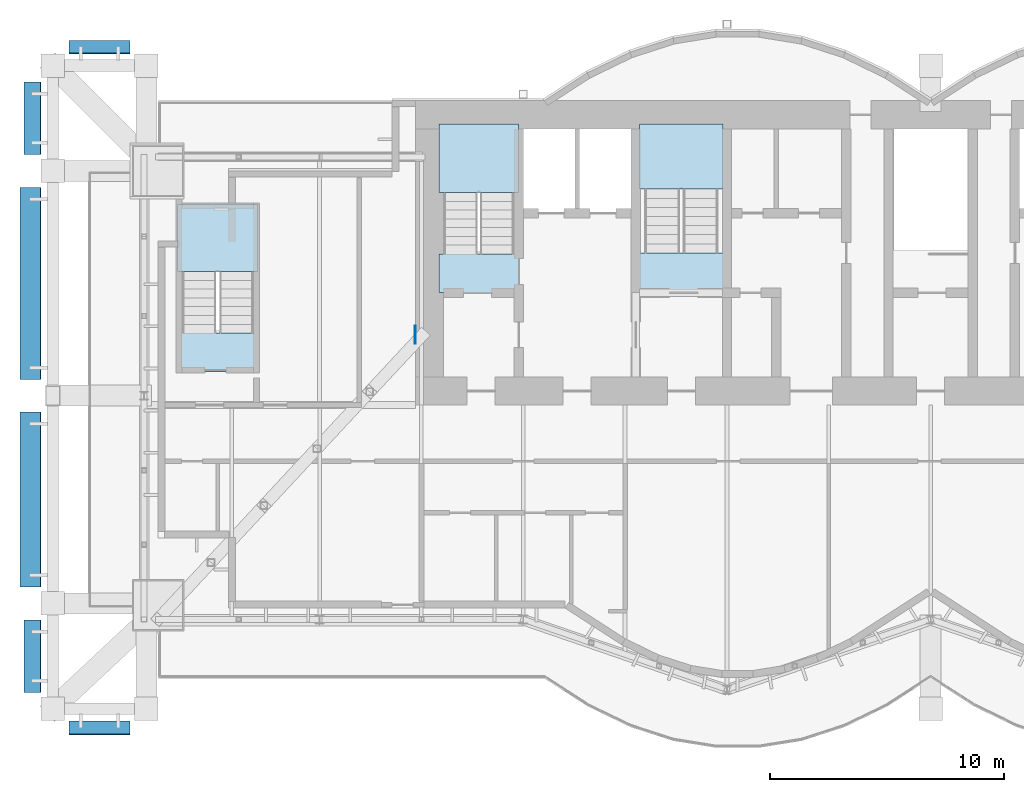
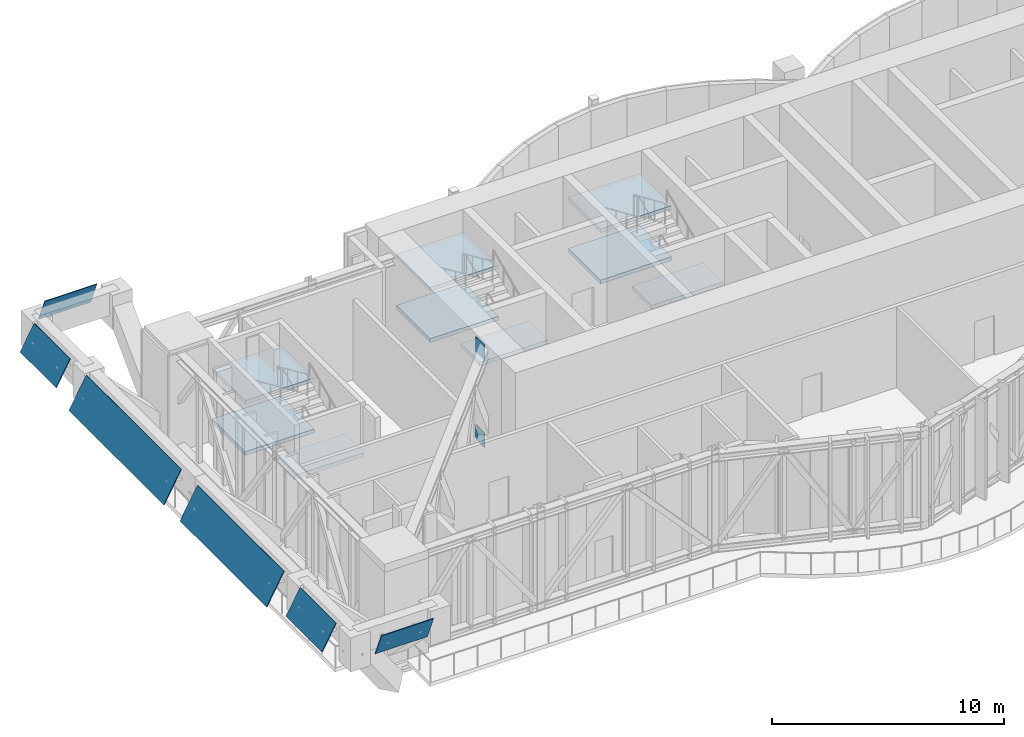
# One storey, part 10 of 20: 9 slabs, 8 plates, 3 elements without a shape of their own.
"""IFC4 building model written with IfcOpenShell, lengths in metres."""

from ifc_helpers import new_model, si_unit, direction, frame, origin, origin_2d, place, context, subcontext, project, spatial, polyline, rectangle, outline, extrude, material, layer, layer_set, type_object, element, aggregate, save


model = new_model("IFC4")

# Units and contexts
model_context = context("Model", 3, precision=1e-05, world=origin(), true_north=direction((0.0, 1.0)))
body_context = subcontext(model_context, "Body", "Model", "MODEL_VIEW")
ifc_project = project(units=[si_unit("LENGTHUNIT", "METRE"), si_unit("AREAUNIT", "SQUARE_METRE"), si_unit("VOLUMEUNIT", "CUBIC_METRE"), si_unit("PLANEANGLEUNIT", "RADIAN"), si_unit("MASSUNIT", "GRAM", prefix="KILO")], contexts=[model_context])

# Site, building, storey
site_placement = place(None, origin())
site = spatial("IfcSite", under=ifc_project, at=site_placement, CompositionType="ELEMENT")
building_placement = place(site_placement, origin())
building = spatial("IfcBuilding", under=site, at=building_placement, Name="Bicima Exchange Tower", CompositionType="ELEMENT")
storey_placement = place(building_placement, frame((0.0, 0.0, 342.5)))
storey = spatial("IfcBuildingStorey", under=building, at=storey_placement, Name="L77", CompositionType="ELEMENT", Elevation=342.5)

# Plates
ifc_material_1 = material(Name="Dark tinted spandrel glass", Category="glass")
ifc_layer_1 = layer(ifc_material_1, 0.0400390625)
ifc_layer_set_1 = layer_set([ifc_layer_1], Name="Dark tinted spandrel glass")
plate_type_1 = type_object("IfcPlateType", Name="Belt fascia glass panel 40", PredefinedType="SHEET", material=ifc_layer_set_1)
plate_1_placement = place(storey_placement, frame((-36.800048828125, -26.5048828125, 4.0), z_axis=(0.0, 0.919715682457, 0.39258510344), x_axis=(1.0, 0.0, 0.0)))
element("IfcPlate", 1, at=plate_1_placement, inside=storey, type_object=plate_type_1, Name="Belt fascia glass panel", PredefinedType="SHEET", context=body_context, shape_type="SweptSolid", body=[
    extrude(outline(polyline([(0.0, 0.0), (2.60009765625, 0.0), (2.60009765625, -1.3917663048388182), (0.0, -1.3917663048388182), (0.0, 0.0)])), origin(), (0.0, 0.0, -1.0), 0.0400390625),
])
plate_2_placement = place(storey_placement, frame((-34.199951171875, 2.576416015625, 4.0), z_axis=(0.0, 0.919715682457, 0.39258510344), x_axis=(-1.0, 0.0, 0.0)))
element("IfcPlate", 2, at=plate_2_placement, inside=storey, type_object=plate_type_1, Name="Belt fascia glass panel", PredefinedType="SHEET", context=body_context, shape_type="SweptSolid", body=[
    extrude(outline(polyline([(0.0, 0.0), (2.60009765625, 0.0), (2.60009765625, 1.3917663048388182), (0.0, 1.3917663048388182), (0.0, 0.0)])), origin(), (0.0, 0.0, -1.0), 0.0400390625),
])
plate_3_placement = place(storey_placement, frame((-38.732421875, 0.800048828125, 4.0), z_axis=(-0.876685030348, 0.0, 0.481064816386), x_axis=(0.0, -1.0, 0.0)))
element("IfcPlate", 3, at=plate_3_placement, inside=storey, type_object=plate_type_1, Name="Belt fascia glass panel", PredefinedType="SHEET", context=body_context, shape_type="SweptSolid", body=[
    extrude(outline(polyline([(0.0, 0.0), (3.10009765625, 0.0), (3.10009765625, 1.4600788796032191), (0.0, 1.4600788796032191), (0.0, 0.0)])), origin(), (0.0, 0.0, -1.0), 0.0400390625),
])
plate_4_placement = place(storey_placement, frame((-38.897216796875, -3.699951171875, 3.699951171875), z_axis=(-0.876650248979, 0.0, 0.481128195978), x_axis=(0.0, -1.0, 0.0)))
element("IfcPlate", 4, at=plate_4_placement, inside=storey, type_object=plate_type_1, Name="Belt fascia glass panel", PredefinedType="SHEET", context=body_context, shape_type="SweptSolid", body=[
    extrude(outline(polyline([(0.0, 0.0), (8.199951171875, 0.0), (8.199951171875, 1.8024042391372048), (0.0, 1.8024042391372048), (0.0, 0.0)])), origin(), (0.0, 0.0, -1.0), 0.0400390625),
])
plate_5_placement = place(storey_placement, frame((-38.897216796875, -13.300048828125, 3.699951171875), z_axis=(-0.876650248979, 0.0, 0.481128195978), x_axis=(0.0, -1.0, 0.0)))
element("IfcPlate", 5, at=plate_5_placement, inside=storey, type_object=plate_type_1, Name="Belt fascia glass panel", PredefinedType="SHEET", context=body_context, shape_type="SweptSolid", body=[
    extrude(outline(polyline([(0.0, 0.0), (7.474853515625, 0.0), (7.474853515625, 1.8024042391372046), (0.0, 1.8024042391372046), (0.0, 0.0)])), origin(), (0.0, 0.0, -1.0), 0.0400390625),
])
plate_6_placement = place(storey_placement, frame((-38.732421875, -22.1748046875, 4.0), z_axis=(-0.876685030348, 0.0, 0.481064816386), x_axis=(0.0, -1.0, 0.0)))
element("IfcPlate", 6, at=plate_6_placement, inside=storey, type_object=plate_type_1, Name="Belt fascia glass panel", PredefinedType="SHEET", context=body_context, shape_type="SweptSolid", body=[
    extrude(outline(polyline([(0.0, 0.0), (3.10009765625, 0.0), (3.10009765625, 1.4600788796032191), (0.0, 1.4600788796032191), (0.0, 0.0)])), origin(), (0.0, 0.0, -1.0), 0.0400390625),
])
ifc_material_2 = material(Name="Steel ASTM A572 Gr 50", Category="steel")
ifc_layer_2 = layer(ifc_material_2, 0.0400390625)
ifc_layer_set_2 = layer_set([ifc_layer_2], Name="Steel ASTM A572 Gr 50")
plate_type_2 = type_object("IfcPlateType", Name="Cast-in plate 40", PredefinedType="SHEET", material=ifc_layer_set_2)
for number, where, z_axis, x_axis, name in (
    (7, (-22.02001953125, -10.0, 4.531005859375), (0.0, 0.0, 1.0), (1.0, 0.0, 0.0), "Cast-in plate at core wall"),
    (8, (-22.02001953125, -10.0, -0.10009765625), (0.0, 0.0, 1.0), (1.0, 0.0, 0.0), "Cast-in plate at core wall"),
):
    element("IfcPlate", number, at=place(storey_placement, frame(where, z_axis=z_axis, x_axis=x_axis)), inside=storey, type_object=plate_type_2, Name=name, PredefinedType="SHEET", context=body_context, shape_type="SweptSolid", body=[
        extrude(rectangle(XDim=0.0400390625, YDim=0.754638671875, at=origin_2d()), origin(), (0.0, 0.0, 1.0), 0.76904296875),
    ])

# Stair, slabs
ifc_material_3 = material(Name="Concrete C50/60", Category="concrete")
stair_type_1 = type_object("IfcStairType", Name="Exit stair", PredefinedType="HALF_TURN_STAIR", material=ifc_material_3)
stair_1_placement = place(storey_placement, origin())
stair_1 = element("IfcStair", 9, at=stair_1_placement, inside=storey, type_object=stair_type_1, Name="L77 West exit stair", PredefinedType="HALF_TURN_STAIR")
ifc_layer_3 = layer(ifc_material_3, 0.199951171875)
ifc_layer_set_3 = layer_set([ifc_layer_3], Name="Concrete C50/60")
slab_type = type_object("IfcSlabType", Name="Stair landing slab", PredefinedType="LANDING", material=ifc_layer_set_3)
slab_1_placement = place(storey_placement, frame((0.0, 0.0, 1.14990234375)))
slab_1 = element("IfcSlab", 10, at=slab_1_placement, type_object=slab_type, Name="ST-W landing 1", PredefinedType="LANDING", context=body_context, shape_type="SweptSolid", body=[
    extrude(outline(polyline([(-17.60009765625, -3.919921875), (-17.60009765625, -1.0), (-21.0, -1.0), (-21.0, -3.919921875), (-17.60009765625, -3.919921875)])), origin(), (0.0, 0.0, 1.0), 0.2001953125),
])
slab_2_placement = place(storey_placement, frame((0.0, 0.0, 2.5)))
slab_2 = element("IfcSlab", 11, at=slab_2_placement, type_object=slab_type, Name="ST-W landing 2", PredefinedType="LANDING", context=body_context, shape_type="SweptSolid", body=[
    extrude(outline(polyline([(-17.60009765625, -8.199951171875), (-17.60009765625, -6.550048828125), (-21.0, -6.550048828125), (-21.0, -8.199951171875), (-17.60009765625, -8.199951171875)])), origin(), (0.0, 0.0, 1.0), 0.199951171875),
])
slab_3_placement = place(storey_placement, frame((0.0, 0.0, 3.85009765625)))
slab_3 = element("IfcSlab", 12, at=slab_3_placement, type_object=slab_type, Name="ST-W landing 3", PredefinedType="LANDING", context=body_context, shape_type="SweptSolid", body=[
    extrude(outline(polyline([(-17.60009765625, -3.919921875), (-17.60009765625, -1.0), (-21.0, -1.0), (-21.0, -3.919921875), (-17.60009765625, -3.919921875)])), origin(), (0.0, 0.0, 1.0), 0.199951171875),
])
aggregate(stair_1, [slab_1, slab_2, slab_3])

stair_type_2 = type_object("IfcStairType", Name="Exit stair 1500", PredefinedType="HALF_TURN_STAIR", material=ifc_material_3)
stair_2_placement = place(storey_placement, origin())
stair_2 = element("IfcStair", 13, at=stair_2_placement, inside=storey, type_object=stair_type_2, Name="L77 Crown exit stair", PredefinedType="HALF_TURN_STAIR")
slab_4_placement = place(storey_placement, frame((0.0, 0.0, 1.14990234375)))
slab_4 = element("IfcSlab", 14, at=slab_4_placement, type_object=slab_type, Name="ST-CR landing 1", PredefinedType="LANDING", context=body_context, shape_type="SweptSolid", body=[
    extrude(outline(polyline([(-8.875, -3.780029296875), (-8.875, -1.0), (-12.425048828125, -1.0), (-12.425048828125, -3.780029296875), (-8.875, -3.780029296875)])), origin(), (0.0, 0.0, 1.0), 0.2001953125),
])
slab_5_placement = place(storey_placement, frame((0.0, 0.0, 2.5)))
slab_5 = element("IfcSlab", 15, at=slab_5_placement, type_object=slab_type, Name="ST-CR landing 2", PredefinedType="LANDING", context=body_context, shape_type="SweptSolid", body=[
    extrude(outline(polyline([(-8.875, -8.199951171875), (-8.875, -6.5), (-12.425048828125, -6.5), (-12.425048828125, -8.199951171875), (-8.875, -8.199951171875)])), origin(), (0.0, 0.0, 1.0), 0.199951171875),
])
slab_6_placement = place(storey_placement, frame((0.0, 0.0, 3.85009765625)))
slab_6 = element("IfcSlab", 16, at=slab_6_placement, type_object=slab_type, Name="ST-CR landing 3", PredefinedType="LANDING", context=body_context, shape_type="SweptSolid", body=[
    extrude(outline(polyline([(-8.875, -3.780029296875), (-8.875, -1.0), (-12.425048828125, -1.0), (-12.425048828125, -3.780029296875), (-8.875, -3.780029296875)])), origin(), (0.0, 0.0, 1.0), 0.199951171875),
])
aggregate(stair_2, [slab_4, slab_5, slab_6])

stair_3_placement = place(storey_placement, origin())
stair_3 = element("IfcStair", 17, at=stair_3_placement, inside=storey, type_object=stair_type_1, Name="L77 West end exit stair", PredefinedType="HALF_TURN_STAIR")
slab_7_placement = place(storey_placement, frame((0.0, 0.0, 1.14990234375)))
slab_7 = element("IfcSlab", 18, at=slab_7_placement, type_object=slab_type, Name="ST-WW landing 1", PredefinedType="LANDING", context=body_context, shape_type="SweptSolid", body=[
    extrude(outline(polyline([(-28.72509765625, -7.294921875), (-28.72509765625, -4.425048828125), (-32.175048828125, -4.425048828125), (-32.175048828125, -7.294921875), (-28.72509765625, -7.294921875)])), origin(), (0.0, 0.0, 1.0), 0.2001953125),
])
slab_8_placement = place(storey_placement, frame((0.0, 0.0, 2.5)))
slab_8 = element("IfcSlab", 19, at=slab_8_placement, type_object=slab_type, Name="ST-WW landing 2", PredefinedType="LANDING", context=body_context, shape_type="SweptSolid", body=[
    extrude(outline(polyline([(-28.72509765625, -11.574951171875), (-28.72509765625, -9.925048828125), (-32.175048828125, -9.925048828125), (-32.175048828125, -11.574951171875), (-28.72509765625, -11.574951171875)])), origin(), (0.0, 0.0, 1.0), 0.199951171875),
])
slab_9_placement = place(storey_placement, frame((0.0, 0.0, 3.85009765625)))
slab_9 = element("IfcSlab", 20, at=slab_9_placement, type_object=slab_type, Name="ST-WW landing 3", PredefinedType="LANDING", context=body_context, shape_type="SweptSolid", body=[
    extrude(outline(polyline([(-28.72509765625, -7.294921875), (-28.72509765625, -4.425048828125), (-32.175048828125, -4.425048828125), (-32.175048828125, -7.294921875), (-28.72509765625, -7.294921875)])), origin(), (0.0, 0.0, 1.0), 0.199951171875),
])
aggregate(stair_3, [slab_7, slab_8, slab_9])

save(model, "model.ifc")
